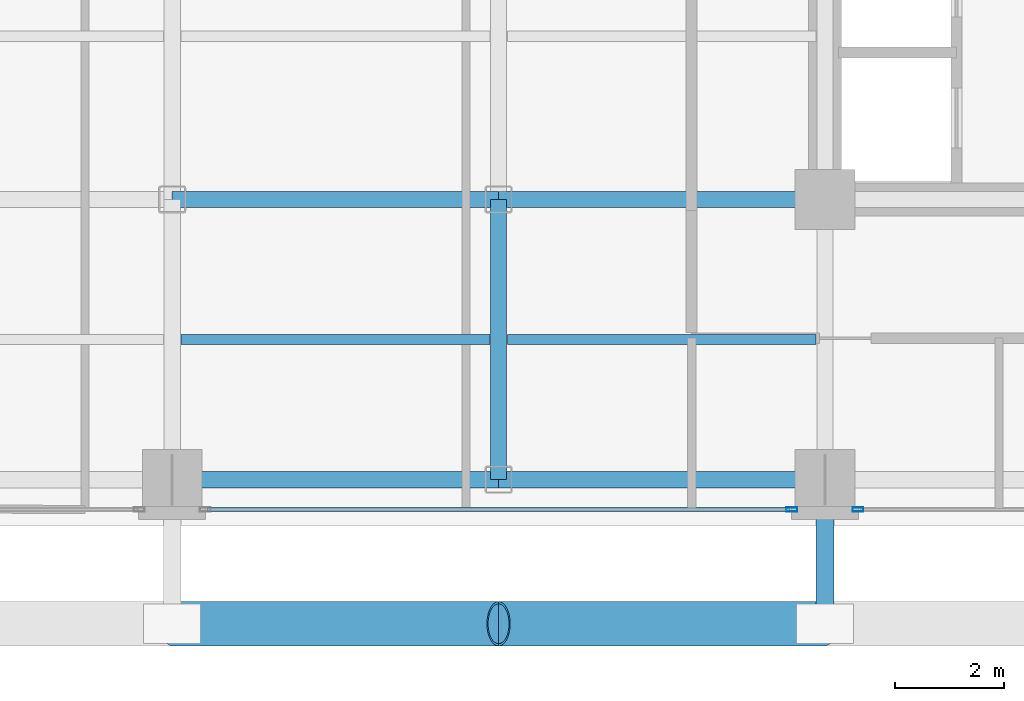
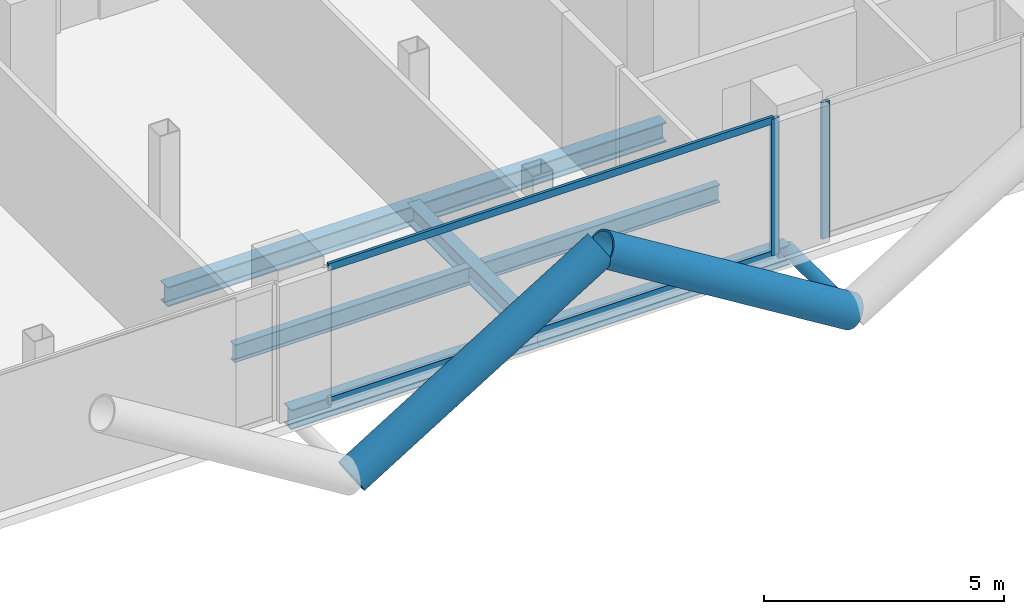
# One storey, part 4 of 28: 7 beams, 7 members, 2 elements without a shape of their own.
"""IFC4 building model written with IfcOpenShell, lengths in metres."""

from ifc_helpers import new_model, si_unit, direction, frame, origin, origin_2d, place, context, subcontext, project, spatial, hollow_rectangle, hollow_circle, i_section, extrude, material, layer, layer_set, material_profile, profile_set, type_object, element, aggregate, save


model = new_model("IFC4")

# Units and contexts
model_context = context("Model", 3, precision=1e-05, world=origin(), true_north=direction((0.0, 1.0)))
body_context = subcontext(model_context, "Body", "Model", "MODEL_VIEW")
ifc_project = project(units=[si_unit("LENGTHUNIT", "METRE"), si_unit("AREAUNIT", "SQUARE_METRE"), si_unit("VOLUMEUNIT", "CUBIC_METRE"), si_unit("PLANEANGLEUNIT", "RADIAN"), si_unit("MASSUNIT", "GRAM", prefix="KILO"), si_unit("THERMODYNAMICTEMPERATUREUNIT", "KELVIN"), si_unit("POWERUNIT", "WATT")], contexts=[model_context])

# Site, building, storey
site_placement = place(None, origin())
site = spatial("IfcSite", under=ifc_project, at=site_placement, CompositionType="ELEMENT")
building_placement = place(site_placement, origin())
building = spatial("IfcBuilding", under=site, at=building_placement, Name="Svarakhadi Broadcast Tower", CompositionType="ELEMENT")
storey_placement = place(building_placement, frame((0.0, 0.0, 107.10009765625)))
storey = spatial("IfcBuildingStorey", under=building, at=storey_placement, Name="L25", CompositionType="ELEMENT", Elevation=107.10009765625)

# Beams
ifc_material_1 = material(Name="Steel S355J2 (IS 2062 E350C)", Category="steel")
ifc_material_profile_1 = material_profile(ifc_material_1, i_section(OverallWidth=0.18994140625, OverallDepth=0.449951171875, WebThickness=0.009521484375, FlangeThickness=0.0146484375, FilletRadius=0.02099609375, at=origin_2d()), Name="NPB 450x190x78")
ifc_profile_set_1 = profile_set([ifc_material_profile_1], Name="Steel S355J2 (IS 2062 E350C)")
beam_type_1 = type_object("IfcBeamType", Name="Beam_NPB450", PredefinedType="BEAM", material=ifc_profile_set_1)
for number, where, z_axis, x_axis, name in (
    (1, (12.159912109375, 3.425048828125, -0.4501953125), (1.0, 0.0, 0.0), (0.0, 1.0, 0.0), "L25 Secondary Composite Beam SB011"),
    (2, (18.159912109375, 3.425048828125, -0.4501953125), (1.0, 0.0, 0.0), (0.0, 1.0, 0.0), "L25 Secondary Composite Beam SB016"),
):
    element("IfcBeam", number, at=place(storey_placement, frame(where, z_axis=z_axis, x_axis=x_axis)), inside=storey, type_object=beam_type_1, Name=name, PredefinedType="BEAM", context=body_context, shape_type="SweptSolid", body=[
        extrude(i_section(OverallWidth=0.18994140625, OverallDepth=0.449951171875, WebThickness=0.009521484375, FlangeThickness=0.0146484375, FilletRadius=0.02099609375, at=origin_2d()), origin(), (0.0, 0.0, 1.0), 5.68017578125),
    ])

# Curtain wall, member
ifc_material_2 = material(Name="Anodised Bronze Aluminium AA 6063-T6", Category="aluminium")
ifc_layer = layer(ifc_material_2, 0.199951171875)
ifc_layer_set = layer_set([ifc_layer], Name="Anodised Bronze Aluminium AA 6063-T6")
curtain_wall_type = type_object("IfcCurtainWallType", Name="CW_Sys_03", PredefinedType="NOTDEFINED", material=ifc_layer_set)
curtain_wall_1_placement = place(storey_placement, origin())
curtain_wall_1 = element("IfcCurtainWall", 3, at=curtain_wall_1_placement, inside=storey, type_object=curtain_wall_type, Name="L25 South Curtain Wall 17 Bay 2", PredefinedType="NOTDEFINED")
ifc_material_profile_2 = material_profile(ifc_material_2, hollow_rectangle(XDim=0.074951171875, YDim=0.199951171875, WallThickness=0.005615234375, at=origin_2d()), Name="ALU MULLION 200x75x6")
ifc_profile_set_2 = profile_set([ifc_material_profile_2], Name="Anodised Bronze Aluminium AA 6063-T6")
member_type_1 = type_object("IfcMemberType", Name="CW_Sys_03_Mul", PredefinedType="MULLION", material=ifc_profile_set_2)
member_1_placement = place(storey_placement, frame((24.607421875, 0.300048828125, 0.0), z_axis=(0.0, 0.0, 1.0), x_axis=(0.0, -1.0, 0.0)))
member_1 = element("IfcMember", 4, at=member_1_placement, type_object=member_type_1, Name="CW-03 mullion 2", PredefinedType="MULLION", context=body_context, shape_type="SweptSolid", body=[
    extrude(hollow_rectangle(XDim=0.074951171875, YDim=0.199951171875, WallThickness=0.005615234375, at=origin_2d()), origin(), (0.0, 0.0, 1.0), 3.474853515625),
])
aggregate(curtain_wall_1, [member_1])

# Curtain wall, members
curtain_wall_2_placement = place(storey_placement, origin())
curtain_wall_2 = element("IfcCurtainWall", 5, at=curtain_wall_2_placement, inside=storey, type_object=curtain_wall_type, Name="L25 South Curtain Wall 17 Bay 3", PredefinedType="NOTDEFINED")
member_2_placement = place(storey_placement, frame((23.392578125, 0.300048828125, 0.0), z_axis=(0.0, 0.0, 1.0), x_axis=(0.0, -1.0, 0.0)))
member_2 = element("IfcMember", 6, at=member_2_placement, type_object=member_type_1, Name="CW-03 mullion 1", PredefinedType="MULLION", context=body_context, shape_type="SweptSolid", body=[
    extrude(hollow_rectangle(XDim=0.074951171875, YDim=0.199951171875, WallThickness=0.005615234375, at=origin_2d()), origin(), (0.0, 0.0, 1.0), 3.474853515625),
])
ifc_material_profile_3 = material_profile(ifc_material_2, hollow_rectangle(XDim=0.070068359375, YDim=0.18505859375, WallThickness=0.0048828125, at=origin_2d()), Name="ALU TRANSOM 185x70x5")
ifc_profile_set_3 = profile_set([ifc_material_profile_3], Name="Anodised Bronze Aluminium AA 6063-T6")
member_type_2 = type_object("IfcMemberType", Name="CW_Sys_03_Trn", PredefinedType="USERDEFINED", material=ifc_profile_set_3)
member_3_placement = place(storey_placement, frame((23.35498046875, 0.300048828125, 0.034912109375), z_axis=(-1.0, 0.0, 0.0), x_axis=(0.0, -1.0, 0.0)))
member_3 = element("IfcMember", 7, at=member_3_placement, type_object=member_type_2, Name="CW-03 transom 1.1", ObjectType="TRANSOM", PredefinedType="USERDEFINED", context=body_context, shape_type="SweptSolid", body=[
    extrude(hollow_rectangle(XDim=0.070068359375, YDim=0.18505859375, WallThickness=0.0048828125, at=origin_2d()), origin(), (0.0, 0.0, 1.0), 10.7099609375),
])
member_4_placement = place(storey_placement, frame((23.35498046875, 0.300048828125, 3.43994140625), z_axis=(-1.0, 0.0, 0.0), x_axis=(0.0, -1.0, 0.0)))
member_4 = element("IfcMember", 8, at=member_4_placement, type_object=member_type_2, Name="CW-03 transom 1.2", ObjectType="TRANSOM", PredefinedType="USERDEFINED", context=body_context, shape_type="SweptSolid", body=[
    extrude(hollow_rectangle(XDim=0.070068359375, YDim=0.18505859375, WallThickness=0.0048828125, at=origin_2d()), origin(), (0.0, 0.0, 1.0), 10.7099609375),
])
aggregate(curtain_wall_2, [member_2, member_3, member_4])

# Members
ifc_material_3 = material(Name="Steel S460ML (IS 2062 E450BR)", Category="steel")
ifc_material_profile_4 = material_profile(ifc_material_3, hollow_circle(Radius=0.406494140625, WallThickness=0.0400390625, at=origin_2d()), Name="CHS 813x40")
ifc_profile_set_4 = profile_set([ifc_material_profile_4], Name="Steel S460ML (IS 2062 E450BR)")
member_type_3 = type_object("IfcMemberType", Name="Exo_Brace_CHS813", PredefinedType="BRACE", material=ifc_profile_set_4)
for number, where, z_axis, x_axis, name in (
    (9, (12.0, -1.800048828125, -0.386962890625), (0.851173964427, 0.0, 0.524883684525), (0.0, 1.0, 0.0), "L25 Exposed Bronze Exoskeleton Diagonal S02"),
    (10, (24.0, -1.800048828125, -0.386962890625), (-0.851173964427, 0.0, 0.524883684525), (0.0, -1.0, 0.0), "L25 Exposed Bronze Exoskeleton Diagonal S03"),
):
    element("IfcMember", number, at=place(storey_placement, frame(where, z_axis=z_axis, x_axis=x_axis)), inside=storey, type_object=member_type_3, Name=name, PredefinedType="BRACE", context=body_context, shape_type="SweptSolid", body=[
        extrude(hollow_circle(Radius=0.406494140625, WallThickness=0.0400390625, at=origin_2d()), origin(), (0.0, 0.0, 1.0), 7.049072265625),
    ])
ifc_material_profile_5 = material_profile(ifc_material_3, hollow_circle(Radius=0.161865234375, WallThickness=0.01611328125, at=origin_2d()), Name="CHS 323.9x16")
ifc_profile_set_5 = profile_set([ifc_material_profile_5], Name="Steel S460ML (IS 2062 E450BR)")
member_type_4 = type_object("IfcMemberType", Name="Exo_Radial_Strut_Z2", PredefinedType="STRUT", material=ifc_profile_set_5)
member_5_placement = place(storey_placement, frame((24.0, -1.800048828125, -0.386962890625), z_axis=(0.0, 1.0, 0.0), x_axis=(-1.0, 0.0, 0.0)))
element("IfcMember", 11, at=member_5_placement, inside=storey, type_object=member_type_4, Name="L25 Exoskeleton Radial Tie Strut S02", PredefinedType="STRUT", context=body_context, shape_type="SweptSolid", body=[
    extrude(hollow_circle(Radius=0.161865234375, WallThickness=0.01611328125, at=origin_2d()), origin(), (0.0, 0.0, 1.0), 2.650146484375),
])

# Beams
ifc_material_profile_6 = material_profile(ifc_material_1, i_section(OverallWidth=0.300048828125, OverallDepth=0.5, WebThickness=0.014404296875, FlangeThickness=0.028076171875, FilletRadius=0.027099609375, at=origin_2d()), Name="WPB 500x300x187")
ifc_profile_set_6 = profile_set([ifc_material_profile_6], Name="Steel S355J2 (IS 2062 E350C)")
beam_type_2 = type_object("IfcBeamType", Name="Girder_WPB500", PredefinedType="USERDEFINED", material=ifc_profile_set_6)
for number, where, z_axis, x_axis, name in (
    (12, (12.0, 0.85009765625, -0.47509765625), (1.0, 0.0, 0.0), (0.0, 1.0, 0.0), "L25 Primary E-W Girder G005"),
    (13, (18.0, 0.85009765625, -0.47509765625), (1.0, 0.0, 0.0), (0.0, 1.0, 0.0), "L25 Primary E-W Girder G006"),
    (14, (12.0, 6.0, -0.47509765625), (1.0, 0.0, 0.0), (0.0, 1.0, 0.0), "L25 Primary E-W Girder G012"),
    (15, (18.0, 6.0, -0.47509765625), (1.0, 0.0, 0.0), (0.0, 1.0, 0.0), "L25 Primary E-W Girder G013"),
):
    element("IfcBeam", number, at=place(storey_placement, frame(where, z_axis=z_axis, x_axis=x_axis)), inside=storey, type_object=beam_type_2, Name=name, ObjectType="GIRDER", PredefinedType="USERDEFINED", context=body_context, shape_type="SweptSolid", body=[
        extrude(i_section(OverallWidth=0.300048828125, OverallDepth=0.5, WebThickness=0.014404296875, FlangeThickness=0.028076171875, FilletRadius=0.027099609375, at=origin_2d()), origin(), (0.0, 0.0, 1.0), 6.0),
    ])
beam_placement = place(storey_placement, frame((18.0, 0.85009765625, -0.47509765625), z_axis=(0.0, 1.0, 0.0), x_axis=(-1.0, 0.0, 0.0)))
element("IfcBeam", 16, at=beam_placement, inside=storey, type_object=beam_type_2, Name="L25 Primary N-S Girder G056", ObjectType="GIRDER", PredefinedType="USERDEFINED", context=body_context, shape_type="SweptSolid", body=[
    extrude(i_section(OverallWidth=0.300048828125, OverallDepth=0.5, WebThickness=0.014404296875, FlangeThickness=0.028076171875, FilletRadius=0.027099609375, at=origin_2d()), origin(), (0.0, 0.0, 1.0), 5.14990234375),
])

save(model, "model.ifc")
